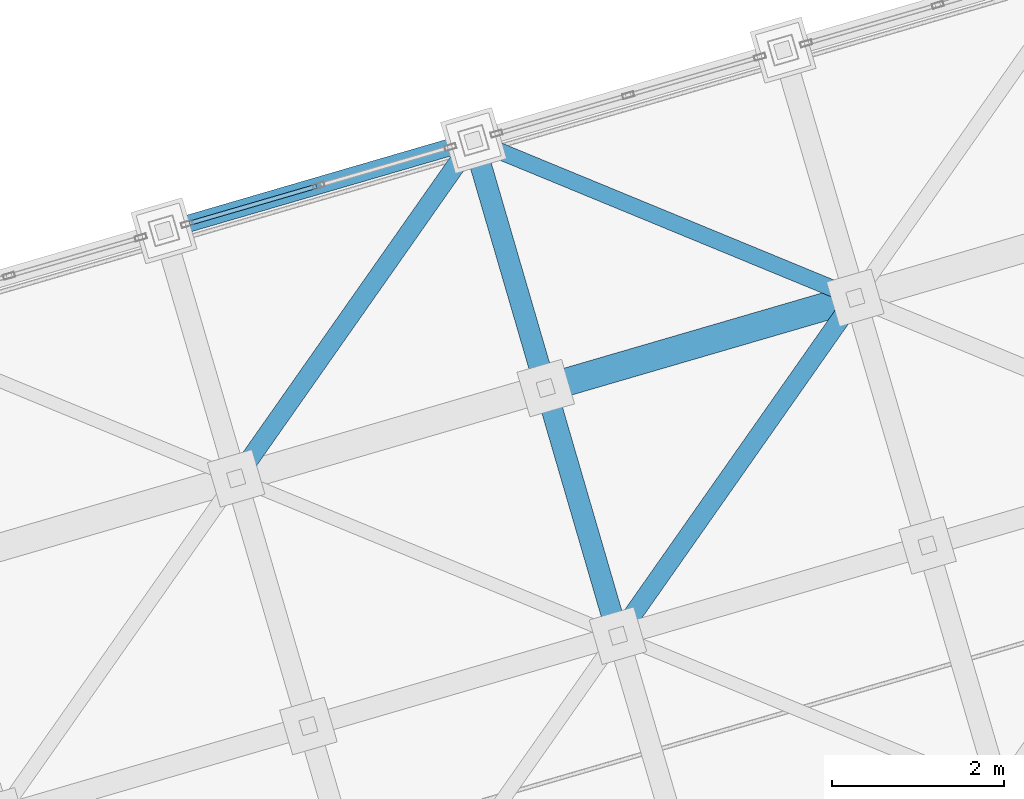
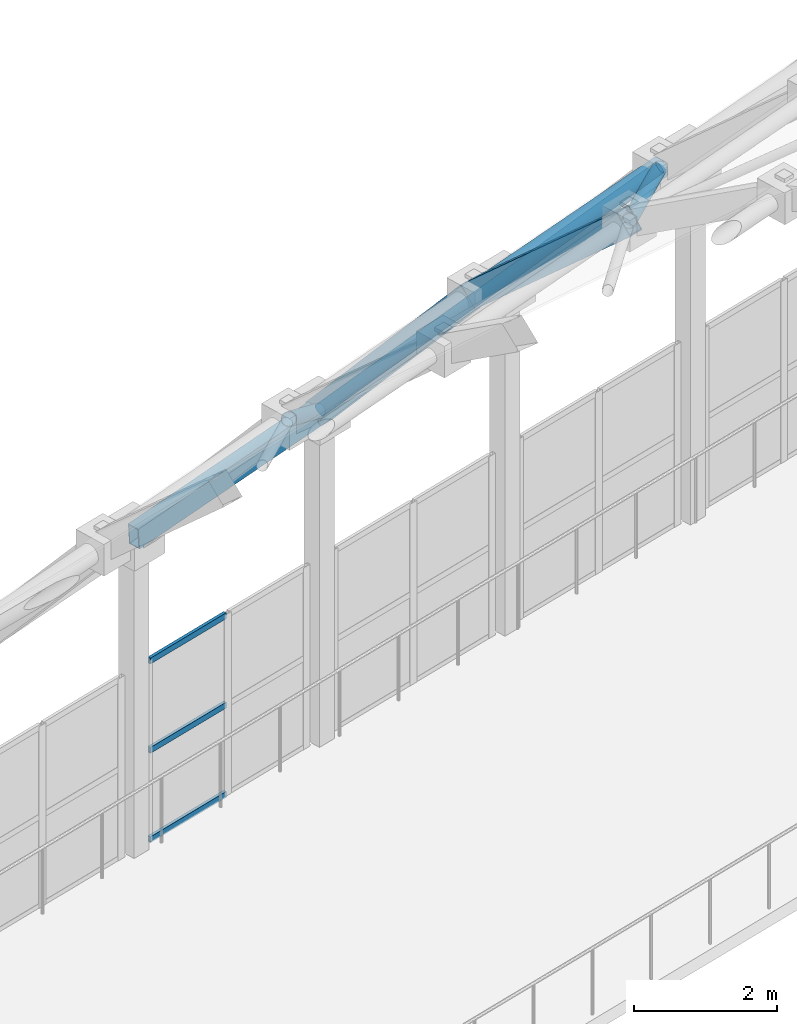
# One storey, part 114 of 248: 7 members, 3 beams, 1 element without a shape of its own.
"""IFC4 building model written with IfcOpenShell, lengths in metres."""

from ifc_helpers import new_model, si_unit, direction, frame, origin, origin_2d, place, context, subcontext, project, spatial, hollow_rectangle, hollow_circle, extrude, material, layer, layer_set, material_profile, profile_set, type_object, element, aggregate, save


model = new_model("IFC4")

# Units and contexts
model_context = context("Model", 3, precision=1e-05, world=origin(), true_north=direction((0.0, 1.0)))
body_context = subcontext(model_context, "Body", "Model", "MODEL_VIEW")
ifc_project = project(units=[si_unit("LENGTHUNIT", "METRE"), si_unit("AREAUNIT", "SQUARE_METRE"), si_unit("VOLUMEUNIT", "CUBIC_METRE"), si_unit("PLANEANGLEUNIT", "RADIAN"), si_unit("MASSUNIT", "GRAM", prefix="KILO")], contexts=[model_context])

# Site, building, storey
site_placement = place(None, origin())
site = spatial("IfcSite", under=ifc_project, at=site_placement, CompositionType="ELEMENT")
building_placement = place(site_placement, origin())
building = spatial("IfcBuilding", under=site, at=building_placement, Name="Canggui Botanical Conservatory", CompositionType="ELEMENT")
storey_placement = place(building_placement, frame((0.0, 0.0, 5.39990234375)))
storey = spatial("IfcBuildingStorey", under=building, at=storey_placement, Name="L02", CompositionType="ELEMENT", Elevation=5.39990234375)

# Beams
ifc_material_1 = material(Name="Steel Q355C", Category="steel")
ifc_material_profile_1 = material_profile(ifc_material_1, hollow_rectangle(XDim=0.25, YDim=0.39990234375, WallThickness=0.013916015625, at=origin_2d()), Name="RHS 250x400x14")
ifc_profile_set_1 = profile_set([ifc_material_profile_1], Name="Steel Q355C")
beam_type_1 = type_object("IfcBeamType", Name="BM-GJ03", PredefinedType="BEAM", material=ifc_profile_set_1)
beam_1_placement = place(storey_placement, frame((42.080078125, 73.43994140625, 11.744140625), z_axis=(-0.208553195479, 0.714996235706, -0.66729749556), x_axis=(-0.959995442804, -0.2800156242, 0.0)))
element("IfcBeam", 1, at=beam_1_placement, inside=storey, type_object=beam_type_1, Name="Conservatory Stepped-Arch Rib GJ-09 Segment 9", PredefinedType="BEAM", context=body_context, shape_type="SweptSolid", body=[
    extrude(hollow_rectangle(XDim=0.25, YDim=0.39990234375, WallThickness=0.013916015625, at=origin_2d()), origin(), (0.0, 0.0, 1.0), 4.028076171875),
])
beam_2_placement = place(storey_placement, frame((41.239990234375, 76.320068359375, 9.05615234375), z_axis=(-0.183568061506, 0.629284758361, -0.755184387874), x_axis=(-0.959989061447, -0.280037500885, 0.0)))
element("IfcBeam", 2, at=beam_2_placement, inside=storey, type_object=beam_type_1, Name="Conservatory Stepped-Arch Rib GJ-09 Segment 10", PredefinedType="BEAM", context=body_context, shape_type="SweptSolid", body=[
    extrude(hollow_rectangle(XDim=0.25, YDim=0.39990234375, WallThickness=0.013916015625, at=origin_2d()), origin(), (0.0, 0.0, 1.0), 4.576416015625),
])
ifc_material_profile_2 = material_profile(ifc_material_1, hollow_rectangle(XDim=0.199951171875, YDim=0.35009765625, WallThickness=0.011962890625, at=origin_2d()), Name="RHS 200x350x12")
ifc_profile_set_2 = profile_set([ifc_material_profile_2], Name="Steel Q355C")
beam_type_2 = type_object("IfcBeamType", Name="BM-RING01", PredefinedType="BEAM", material=ifc_profile_set_2)
beam_3_placement = place(storey_placement, frame((36.800048828125, 78.14990234375, 5.35009765625), z_axis=(0.957867059601, 0.279402253194, 0.066521252562), x_axis=(-0.280022500685, 0.959993437014, 0.0)))
element("IfcBeam", 3, at=beam_3_placement, inside=storey, type_object=beam_type_2, Name="Conservatory Perimeter Ring Beam V1-08", PredefinedType="BEAM", context=body_context, shape_type="SweptSolid", body=[
    extrude(hollow_rectangle(XDim=0.199951171875, YDim=0.35009765625, WallThickness=0.011962890625, at=origin_2d()), origin(), (0.0, 0.0, 1.0), 3.75830078125),
])

# Curtain wall, members
ifc_material_2 = material(Name="Thermally Broken Aluminium", Category="aluminium")
ifc_layer = layer(ifc_material_2, 0.135009765625, Name="Thermally Broken Aluminium", Category="aluminium")
ifc_layer_set = layer_set([ifc_layer], Name="Thermally Broken Aluminium")
curtain_wall_type = type_object("IfcCurtainWallType", Name="CW-STICK-A", PredefinedType="USERDEFINED", material=ifc_layer_set)
curtain_wall_placement = place(storey_placement, origin())
curtain_wall = element("IfcCurtainWall", 4, at=curtain_wall_placement, inside=storey, type_object=curtain_wall_type, Name="Facade Curtain Wall CW-CONS-L02-V1-08", ObjectType="STICK GLAZED WALL", PredefinedType="USERDEFINED")
ifc_material_profile_3 = material_profile(ifc_material_2, hollow_rectangle(XDim=0.050048828125, YDim=0.10009765625, WallThickness=0.0029296875, at=origin_2d()), Name="CWT 50x100x3")
ifc_profile_set_3 = profile_set([ifc_material_profile_3], Name="Thermally Broken Aluminium")
member_type_1 = type_object("IfcMemberType", Name="CWT-04", PredefinedType="USERDEFINED", material=ifc_profile_set_3)
member_1_placement = place(storey_placement, frame((37.09765625, 78.23681640625, 0.025146484375), z_axis=(0.960021373424, 0.279926709282, 0.0), x_axis=(-0.279926709282, 0.960021373424, 0.0)))
member_1 = element("IfcMember", 5, at=member_1_placement, type_object=member_type_1, Name="CW-04 transom 1.1", ObjectType="TRANSOM", PredefinedType="USERDEFINED", context=body_context, shape_type="SweptSolid", body=[
    extrude(hollow_rectangle(XDim=0.050048828125, YDim=0.10009765625, WallThickness=0.0029296875, at=origin_2d()), origin(), (0.0, 0.0, 1.0), 1.534912109375),
])
member_2_placement = place(storey_placement, frame((37.09765625, 78.23681640625, 1.550048828125), z_axis=(0.960021373424, 0.279926709282, 0.0), x_axis=(-0.279926709282, 0.960021373424, 0.0)))
member_2 = element("IfcMember", 6, at=member_2_placement, type_object=member_type_1, Name="CW-04 transom 1.2", ObjectType="TRANSOM", PredefinedType="USERDEFINED", context=body_context, shape_type="SweptSolid", body=[
    extrude(hollow_rectangle(XDim=0.050048828125, YDim=0.10009765625, WallThickness=0.0029296875, at=origin_2d()), origin(), (0.0, 0.0, 1.0), 1.534912109375),
])
member_3_placement = place(storey_placement, frame((37.09765625, 78.23681640625, 3.0751953125), z_axis=(0.960021373424, 0.279926709282, 0.0), x_axis=(-0.279926709282, 0.960021373424, 0.0)))
member_3 = element("IfcMember", 7, at=member_3_placement, type_object=member_type_1, Name="CW-04 transom 1.3", ObjectType="TRANSOM", PredefinedType="USERDEFINED", context=body_context, shape_type="SweptSolid", body=[
    extrude(hollow_rectangle(XDim=0.050048828125, YDim=0.10009765625, WallThickness=0.0029296875, at=origin_2d()), origin(), (0.0, 0.0, 1.0), 1.534912109375),
])
aggregate(curtain_wall, [member_1, member_2, member_3])

# Members
ifc_material_profile_4 = material_profile(ifc_material_1, hollow_circle(Radius=0.16259765625, WallThickness=0.011962890625, at=origin_2d()), Name="CHS 325x12")
ifc_profile_set_4 = profile_set([ifc_material_profile_4], Name="Steel Q355C")
member_type_2 = type_object("IfcMemberType", Name="MEM-GSC01", PredefinedType="CHORD", material=ifc_profile_set_4)
member_4_placement = place(storey_placement, frame((41.239990234375, 76.320068359375, 9.05615234375), z_axis=(0.957872417874, 0.27938486839, 0.066517113516), x_axis=(-0.280004999853, 0.959998541695, 0.0)))
element("IfcMember", 8, at=member_4_placement, inside=storey, type_object=member_type_2, Name="Conservatory Gridshell Longitudinal Chord 9-9", PredefinedType="CHORD", context=body_context, shape_type="SweptSolid", body=[
    extrude(hollow_circle(Radius=0.16259765625, WallThickness=0.011962890625, at=origin_2d()), origin(), (0.0, 0.0, 1.0), 3.758544921875),
])
ifc_material_profile_5 = material_profile(ifc_material_1, hollow_circle(Radius=0.109619140625, WallThickness=0.008056640625, at=origin_2d()), Name="CHS 219x8")
ifc_profile_set_5 = profile_set([ifc_material_profile_5], Name="Steel Q355C")
member_type_3 = type_object("IfcMemberType", Name="MEM-GSD01", PredefinedType="RAFTER", material=ifc_profile_set_5)
member_5_placement = place(storey_placement, frame((37.639892578125, 75.27001953125, 8.80615234375), z_axis=(0.477994158586, 0.680607870035, -0.555242750159), x_axis=(-0.818344854073, 0.574727500484, 0.0)))
element("IfcMember", 9, at=member_5_placement, inside=storey, type_object=member_type_3, Name="Conservatory Gridshell Diagrid Rafter 8-10", PredefinedType="RAFTER", context=body_context, shape_type="SweptSolid", body=[
    extrude(hollow_circle(Radius=0.109619140625, WallThickness=0.008056640625, at=origin_2d()), origin(), (0.0, 0.0, 1.0), 5.774169921875),
])
member_6_placement = place(storey_placement, frame((42.080078125, 73.43994140625, 11.744140625), z_axis=(0.512452720582, 0.729718168592, -0.452662792369), x_axis=(-0.818361645525, 0.574703590674, 0.0)))
element("IfcMember", 10, at=member_6_placement, inside=storey, type_object=member_type_3, Name="Conservatory Gridshell Diagrid Rafter 9-9", PredefinedType="RAFTER", context=body_context, shape_type="SweptSolid", body=[
    extrude(hollow_circle(Radius=0.109619140625, WallThickness=0.008056640625, at=origin_2d()), origin(), (0.0, 0.0, 1.0), 5.385986328125),
])
ifc_material_profile_6 = material_profile(ifc_material_1, hollow_circle(Radius=0.096923828125, WallThickness=0.008056640625, at=origin_2d()), Name="CHS 194x8")
ifc_profile_set_6 = profile_set([ifc_material_profile_6], Name="Steel Q355C")
member_type_4 = type_object("IfcMemberType", Name="MEM-GSD02", PredefinedType="RAFTER", material=ifc_profile_set_6)
member_7_placement = place(storey_placement, frame((40.39990234375, 79.199951171875, 5.60009765625), z_axis=(0.731959008799, -0.30164583334, 0.610938458985), x_axis=(0.381020817519, 0.924566458735, 0.0)))
element("IfcMember", 11, at=member_7_placement, inside=storey, type_object=member_type_4, Name="Conservatory Gridshell Diagrid Rafter 9-10", PredefinedType="RAFTER", context=body_context, shape_type="SweptSolid", body=[
    extrude(hollow_circle(Radius=0.096923828125, WallThickness=0.008056640625, at=origin_2d()), origin(), (0.0, 0.0, 1.0), 6.066162109375),
])

save(model, "model.ifc")
